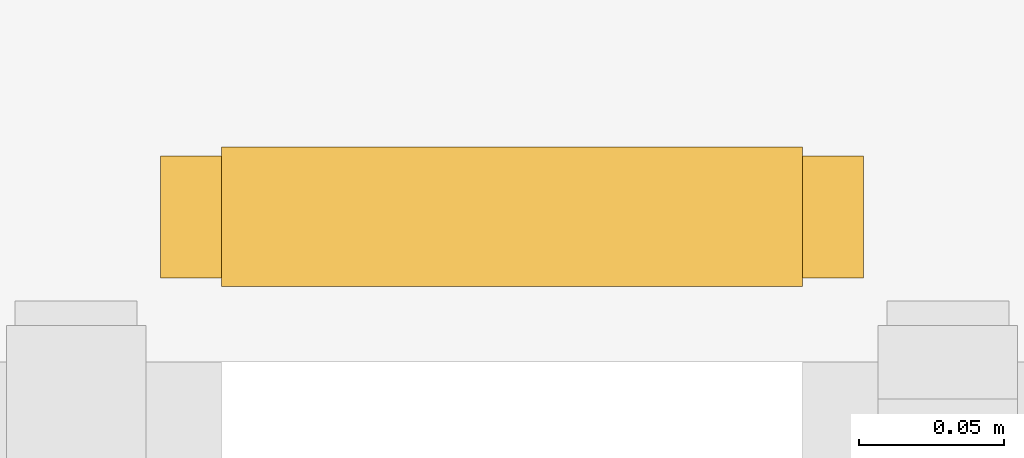
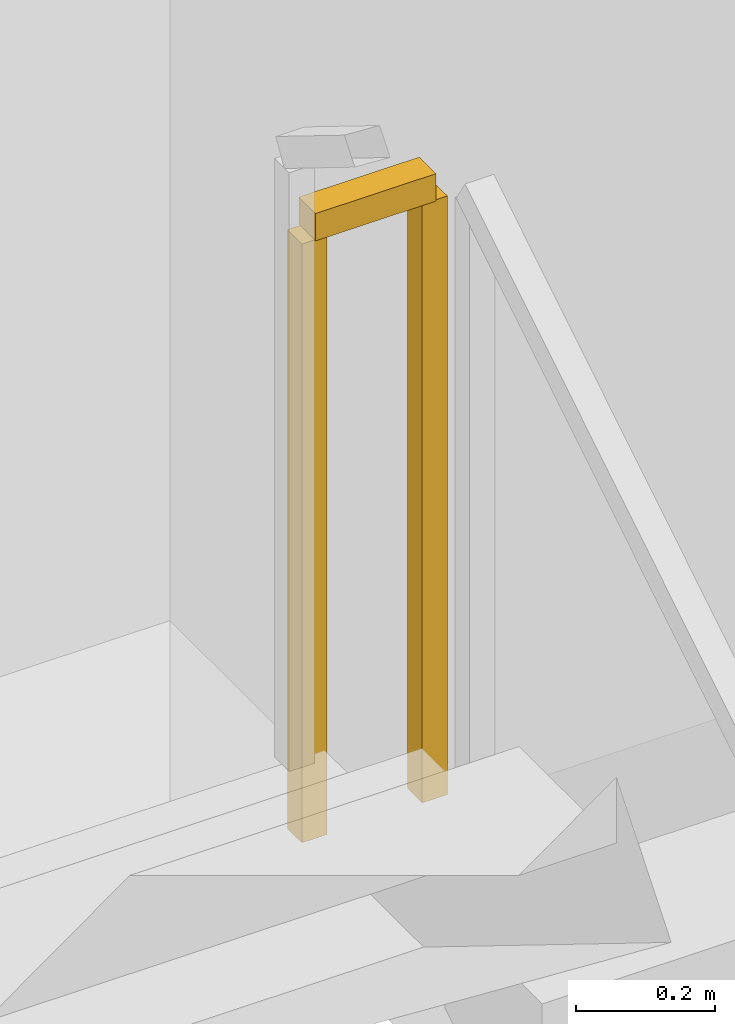
# One storey, part 20 of 26: 1 railing.
"""IFC4 building model written with IfcOpenShell, lengths in metres."""

from ifc_helpers import new_model, si_unit, direction, frame, origin, origin_2d, place, context, subcontext, project, spatial, rectangle, extrude, material, type_object, element, save


model = new_model("IFC4")

# Units and contexts
model_context = context("Model", 3, precision=1e-05, world=origin(), true_north=direction((0.0, 1.0)))
body_context = subcontext(model_context, "Body", "Model", "MODEL_VIEW")
ifc_project = project(units=[si_unit("LENGTHUNIT", "METRE"), si_unit("AREAUNIT", "SQUARE_METRE"), si_unit("VOLUMEUNIT", "CUBIC_METRE"), si_unit("PLANEANGLEUNIT", "RADIAN"), si_unit("MASSUNIT", "GRAM", prefix="KILO")], contexts=[model_context])

# Site, building, storey
site_placement = place(None, origin())
site = spatial("IfcSite", under=ifc_project, at=site_placement, CompositionType="ELEMENT")
building_placement = place(site_placement, origin())
building = spatial("IfcBuilding", under=site, at=building_placement, Name="Kiyonajd Concourse Tower", CompositionType="ELEMENT")
storey_placement = place(building_placement, origin())
storey = spatial("IfcBuildingStorey", under=building, at=storey_placement, Name="L01", CompositionType="ELEMENT", Elevation=0.0)

# Railing
ifc_material = material(Name="Steel ASTM A500 Grade C", Category="steel")
railing_type = type_object("IfcRailingType", Name="RL-GRD-STR", PredefinedType="GUARDRAIL", material=ifc_material)
railing_placement = place(storey_placement, frame((11.300048828125, 33.06005859375, 2.25)))
element("IfcRailing", 1, at=railing_placement, inside=storey, type_object=railing_type, Name="L01 ST4 stair guard 2", PredefinedType="GUARDRAIL", context=body_context, shape_type="SweptSolid", body=[
    extrude(rectangle(XDim=0.048095703125, YDim=0.048095703125, at=origin_2d()), frame((0.0, 0.0, 1.076171875), z_axis=(-1.0, 0.0, 0.0), x_axis=(0.0, -1.0, 0.0)), (0.0, 0.0, 1.0), 0.199951171875),
    extrude(rectangle(XDim=0.0419921875, YDim=0.0419921875, at=origin_2d()), origin(), (0.0, 0.0, 1.0), 1.052001953125),
    extrude(rectangle(XDim=0.0419921875, YDim=0.0419921875, at=origin_2d()), frame((-0.199951171875, 0.0, 0.0)), (0.0, 0.0, 1.0), 1.052001953125),
])

save(model, "model.ifc")
